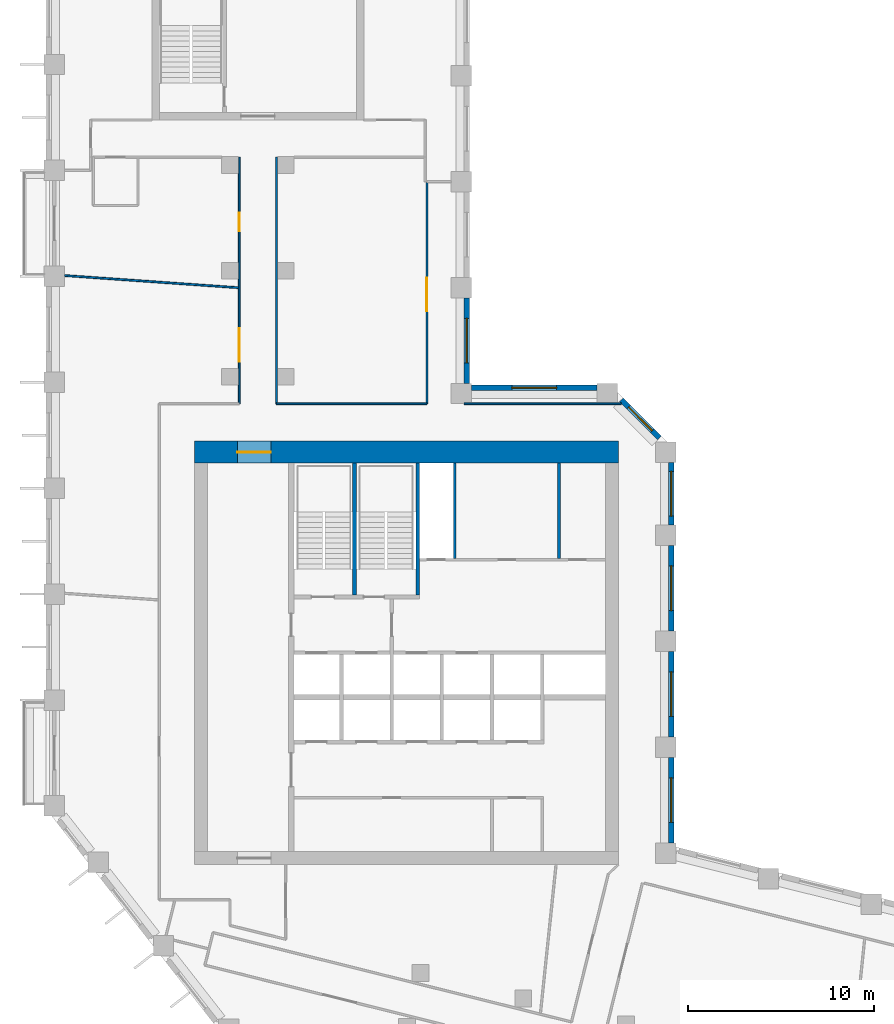
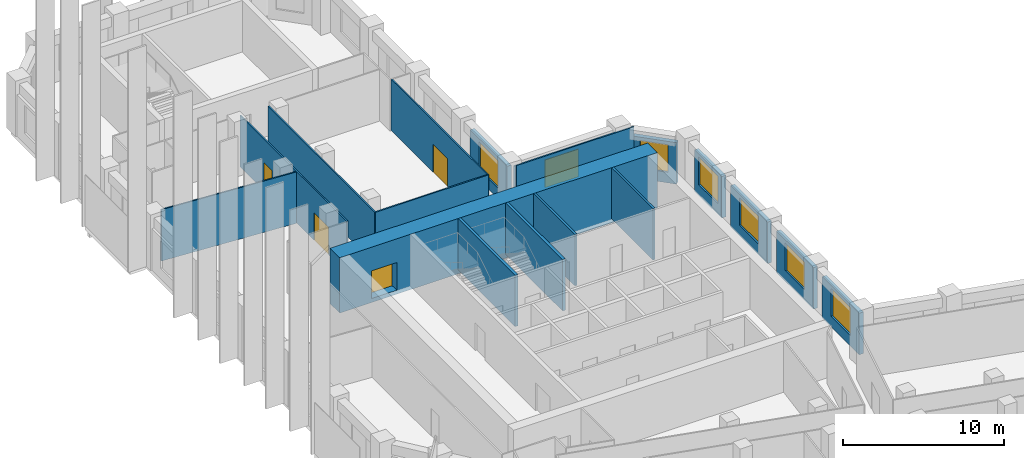
# One storey, part 6 of 10: 18 walls, 7 windows, 4 doors, 11 openings.
"""IFC4 building model written with IfcOpenShell, lengths in metres."""

from ifc_helpers import new_model, si_unit, direction, frame, frame_2d, origin, place, context, subcontext, project, spatial, rectangle, extrude, material, layer, layer_set, type_object, element, fill, save


model = new_model("IFC4")

# Units and contexts
model_context = context("Model", 3, precision=1e-05, world=origin(), true_north=direction((0.0, 1.0)))
body_context = subcontext(model_context, "Body", "Model", "MODEL_VIEW")
ifc_project = project(units=[si_unit("LENGTHUNIT", "METRE"), si_unit("AREAUNIT", "SQUARE_METRE"), si_unit("VOLUMEUNIT", "CUBIC_METRE"), si_unit("PLANEANGLEUNIT", "RADIAN"), si_unit("MASSUNIT", "GRAM", prefix="KILO")], contexts=[model_context])

# Site, building, storey
site_placement = place(None, origin())
site = spatial("IfcSite", under=ifc_project, at=site_placement, CompositionType="ELEMENT")
building_placement = place(site_placement, origin())
building = spatial("IfcBuilding", under=site, at=building_placement, Name="Meshkara Civic Tower", CompositionType="ELEMENT")
storey_placement = place(building_placement, frame((0.0, 0.0, 225.60009765625)))
storey = spatial("IfcBuildingStorey", under=building, at=storey_placement, Name="L51", CompositionType="ELEMENT", Elevation=225.60009765625)

# Walls
ifc_material_1 = material(Name="Blockwork", Category="masonry")
ifc_layer_1 = layer(ifc_material_1, 0.14990234375)
ifc_layer_set_1 = layer_set([ifc_layer_1], Name="Core partition 150")
wall_type_1 = type_object("IfcWallType", Name="Core partition 150", PredefinedType="PARTITIONING", material=ifc_layer_set_1)
for number, where, z_axis, x_axis, name in (
    (1, (22.0, 30.574951171875, 0.0), (0.0, 0.0, 1.0), (0.0, 1.0, 0.0), "L51-C017"),
    (2, (27.60009765625, 30.574951171875, 0.0), (0.0, 0.0, 1.0), (0.0, 1.0, 0.0), "L51-C022"),
):
    element("IfcWall", number, at=place(storey_placement, frame(where, z_axis=z_axis, x_axis=x_axis)), inside=storey, type_object=wall_type_1, Name=name, PredefinedType="PARTITIONING", context=body_context, shape_type="SweptSolid", body=[
        extrude(rectangle(XDim=5.125, YDim=0.14990234375, at=frame_2d((2.5625, 0.0))), origin(), (0.0, 0.0, 1.0), 3.89990234375),
    ])

# Wall, opening, door
ifc_material_2 = material(Name="Concrete C60", Category="concrete")
ifc_layer_2 = layer(ifc_material_2, 1.199951171875)
ifc_layer_set_2 = layer_set([ifc_layer_2], Name="Core ring wall 1200 C60")
wall_type_2 = type_object("IfcWallType", Name="Core ring wall 1200 C60", PredefinedType="SHEAR", material=ifc_layer_set_2)
wall_1_placement = place(storey_placement, frame((8.0, 36.300048828125, -0.300048828125), z_axis=(0.0, 0.0, 1.0), x_axis=(1.0, 0.0, 0.0)))
wall_1 = element("IfcWall", 3, at=wall_1_placement, inside=storey, type_object=wall_type_2, Name="L51-C002", PredefinedType="SHEAR", context=body_context, shape_type="SweptSolid", body=[
    extrude(rectangle(XDim=22.800048828125, YDim=1.199951171875, at=frame_2d((11.39990234375, 0.0))), origin(), (0.0, 0.0, 1.0), 4.199951171875),
])
opening_1_placement = place(wall_1_placement, frame((2.300048828125, 0.0, 0.300048828125)))
opening_1 = element("IfcOpeningElement", 4, at=opening_1_placement, cuts=wall_1, Name="Opening L51-K020", PredefinedType="OPENING", context=body_context, shape_type="SweptSolid", body=[
    extrude(rectangle(XDim=1.800048828125, YDim=2.10009765625, at=frame_2d((0.89990234375, 1.050048828125))), frame((0.0, 0.60986328125, 0.0), z_axis=(0.0, -1.0, 0.0), x_axis=(1.0, 0.0, 0.0)), (0.0, 0.0, 1.0), 1.219970703125),
])
ifc_material_3 = material(Name="Fire-rated door leaf in steel frame", Category="steel")
door_type_1 = type_object("IfcDoorType", Name="Core double door 1800 EI 60", OperationType="DOUBLE_DOOR_SINGLE_SWING", PredefinedType="DOOR", material=ifc_material_3)
door_1_placement = place(opening_1_placement, origin())
door_1 = element("IfcDoor", 5, at=door_1_placement, inside=storey, type_object=door_type_1, Name="L51-K020", OperationType="DOUBLE_DOOR_SINGLE_SWING", OverallHeight=2.10009765625, OverallWidth=1.800048828125, PredefinedType="DOOR", context=body_context, shape_type="SweptSolid", body=[
    extrude(rectangle(XDim=1.800048828125, YDim=2.10009765625, at=frame_2d((0.89990234375, 1.050048828125))), frame((0.0, 0.02490234375, 0.0), z_axis=(0.0, -1.0, 0.0), x_axis=(1.0, 0.0, 0.0)), (0.0, 0.0, 1.0), 0.050048828125),
])
fill(opening_1, door_1)

# Wall, openings, doors
ifc_material_4 = material(Name="Corridor wall 100")
ifc_layer_3 = layer(ifc_material_4, 0.10009765625)
ifc_layer_set_3 = layer_set([ifc_layer_3], Name="Corridor wall 100")
wall_type_3 = type_object("IfcWallType", Name="Corridor wall 100", PredefinedType="PARTITIONING", material=ifc_layer_set_3)
wall_2_placement = place(storey_placement, frame((10.39990234375, 52.169921875, 0.0), z_axis=(0.0, 0.0, 1.0), x_axis=(0.0, -1.0, 0.0)))
wall_2 = element("IfcWall", 6, at=wall_2_placement, inside=storey, type_object=wall_type_3, Name="L51-W012", PredefinedType="PARTITIONING", context=body_context, shape_type="SweptSolid", body=[
    extrude(rectangle(XDim=13.27001953125, YDim=0.10009765625, at=frame_2d((6.635009765625, 0.0))), origin(), (0.0, 0.0, 1.0), 3.89990234375),
])
opening_2_placement = place(wall_2_placement, frame((9.2060546875, 0.0, 0.0)))
opening_2 = element("IfcOpeningElement", 7, at=opening_2_placement, cuts=wall_2, Name="Opening L51-D014", PredefinedType="OPENING", context=body_context, shape_type="SweptSolid", body=[
    extrude(rectangle(XDim=1.800048828125, YDim=2.10009765625, at=frame_2d((0.89990234375, 1.050048828125))), frame((0.0, 0.06005859375, 0.0), z_axis=(0.0, -1.0, 0.0), x_axis=(1.0, 0.0, 0.0)), (0.0, 0.0, 1.0), 0.1201171875),
])
opening_3_placement = place(wall_2_placement, frame((2.97998046875, 0.0, 0.0)))
opening_3 = element("IfcOpeningElement", 8, at=opening_3_placement, cuts=wall_2, Name="Opening L51-D018", PredefinedType="OPENING", context=body_context, shape_type="SweptSolid", body=[
    extrude(rectangle(XDim=1.0, YDim=2.10009765625, at=frame_2d((0.5, 1.050048828125))), frame((0.0, 0.06005859375, 0.0), z_axis=(0.0, -1.0, 0.0), x_axis=(1.0, 0.0, 0.0)), (0.0, 0.0, 1.0), 0.1201171875),
])
ifc_material_5 = material(Name="Door 1000 x 2100")
door_type_2 = type_object("IfcDoorType", Name="Door 1000 x 2100", OperationType="SINGLE_SWING_LEFT", PredefinedType="DOOR", material=ifc_material_5)
door_2_placement = place(opening_3_placement, origin())
door_2 = element("IfcDoor", 9, at=door_2_placement, inside=storey, type_object=door_type_2, Name="L51-D018", OperationType="SINGLE_SWING_RIGHT", OverallHeight=2.10009765625, OverallWidth=1.0, PredefinedType="DOOR", context=body_context, shape_type="SweptSolid", body=[
    extrude(rectangle(XDim=1.0, YDim=2.10009765625, at=frame_2d((0.5, 1.050048828125))), frame((0.0, 0.02490234375, 0.0), z_axis=(0.0, -1.0, 0.0), x_axis=(1.0, 0.0, 0.0)), (0.0, 0.0, 1.0), 0.050048828125),
])
fill(opening_3, door_2)
ifc_material_6 = material(Name="Door pair 1800 x 2100")
door_type_3 = type_object("IfcDoorType", Name="Door pair 1800 x 2100", OperationType="SINGLE_SWING_LEFT", PredefinedType="DOOR", material=ifc_material_6)
door_3_placement = place(opening_2_placement, origin())
door_3 = element("IfcDoor", 10, at=door_3_placement, inside=storey, type_object=door_type_3, Name="L51-D014", OperationType="DOUBLE_DOOR_SINGLE_SWING", OverallHeight=2.10009765625, OverallWidth=1.800048828125, PredefinedType="DOOR", context=body_context, shape_type="SweptSolid", body=[
    extrude(rectangle(XDim=1.800048828125, YDim=2.10009765625, at=frame_2d((0.89990234375, 1.050048828125))), frame((0.0, 0.02490234375, 0.0), z_axis=(0.0, -1.0, 0.0), x_axis=(1.0, 0.0, 0.0)), (0.0, 0.0, 1.0), 0.050048828125),
])
fill(opening_2, door_3)

# Walls
wall_3_placement = place(storey_placement, frame((12.39990234375, 38.89990234375, 0.0), z_axis=(0.0, 0.0, 1.0), x_axis=(0.0, 1.0, 0.0)))
element("IfcWall", 11, at=wall_3_placement, inside=storey, type_object=wall_type_3, Name="L51-W013", PredefinedType="PARTITIONING", context=body_context, shape_type="SweptSolid", body=[
    extrude(rectangle(XDim=13.27001953125, YDim=0.10009765625, at=frame_2d((6.635009765625, 0.0))), origin(), (0.0, 0.0, 1.0), 3.89990234375),
])
wall_4_placement = place(storey_placement, frame((20.5, 38.89990234375, 0.0), z_axis=(0.0, 0.0, 1.0), x_axis=(-1.0, 0.0, 0.0)))
element("IfcWall", 12, at=wall_4_placement, inside=storey, type_object=wall_type_3, Name="L51-W018", PredefinedType="PARTITIONING", context=body_context, shape_type="SweptSolid", body=[
    extrude(rectangle(XDim=8.10009765625, YDim=0.10009765625, at=frame_2d((4.050048828125, 0.0))), origin(), (0.0, 0.0, 1.0), 3.89990234375),
])

# Wall, opening, door
wall_5_placement = place(storey_placement, frame((20.5, 50.85009765625, 0.0), z_axis=(0.0, 0.0, 1.0), x_axis=(0.0, -1.0, 0.0)))
wall_5 = element("IfcWall", 13, at=wall_5_placement, inside=storey, type_object=wall_type_3, Name="L51-W019", PredefinedType="PARTITIONING", context=body_context, shape_type="SweptSolid", body=[
    extrude(rectangle(XDim=11.9501953125, YDim=0.10009765625, at=frame_2d((5.97509765625, 0.0))), origin(), (0.0, 0.0, 1.0), 3.89990234375),
])
opening_4_placement = place(wall_5_placement, frame((5.179931640625, 0.0, 0.0)))
opening_4 = element("IfcOpeningElement", 14, at=opening_4_placement, cuts=wall_5, Name="Opening L51-D015", PredefinedType="OPENING", context=body_context, shape_type="SweptSolid", body=[
    extrude(rectangle(XDim=1.800048828125, YDim=2.10009765625, at=frame_2d((0.89990234375, 1.050048828125))), frame((0.0, 0.06005859375, 0.0), z_axis=(0.0, -1.0, 0.0), x_axis=(1.0, 0.0, 0.0)), (0.0, 0.0, 1.0), 0.1201171875),
])
door_4_placement = place(opening_4_placement, origin())
door_4 = element("IfcDoor", 15, at=door_4_placement, inside=storey, type_object=door_type_3, Name="L51-D015", OperationType="DOUBLE_DOOR_SINGLE_SWING", OverallHeight=2.10009765625, OverallWidth=1.800048828125, PredefinedType="DOOR", context=body_context, shape_type="SweptSolid", body=[
    extrude(rectangle(XDim=1.800048828125, YDim=2.10009765625, at=frame_2d((0.89990234375, 1.050048828125))), frame((0.0, 0.02490234375, 0.0), z_axis=(0.0, -1.0, 0.0), x_axis=(1.0, 0.0, 0.0)), (0.0, 0.0, 1.0), 0.050048828125),
])
fill(opening_4, door_4)

# Wall
wall_6_placement = place(storey_placement, frame((30.9560546875, 38.89990234375, 0.0), z_axis=(0.0, 0.0, 1.0), x_axis=(-1.0, 0.0, 0.0)))
element("IfcWall", 16, at=wall_6_placement, inside=storey, type_object=wall_type_3, Name="L51-W025", PredefinedType="PARTITIONING", context=body_context, shape_type="SweptSolid", body=[
    extrude(rectangle(XDim=8.4560546875, YDim=0.10009765625, at=frame_2d((4.22802734375, 0.0))), origin(), (0.0, 0.0, 1.0), 3.89990234375),
])

# Wall, opening, window
ifc_material_7 = material(Name="Insulated infill panel with bronze anodised aluminium cladding", Category="aluminium")
ifc_layer_4 = layer(ifc_material_7, 0.300048828125)
ifc_layer_set_4 = layer_set([ifc_layer_4], Name="EXTERNAL INFILL WALL 300")
wall_type_4 = type_object("IfcWallType", Name="EXTERNAL INFILL WALL 300", PredefinedType="SOLIDWALL", material=ifc_layer_set_4)
wall_7_placement = place(storey_placement, frame((33.64990234375, 15.26904296875, 0.0), z_axis=(0.0, 0.0, 1.0), x_axis=(0.0, 1.0, 0.0)))
wall_7 = element("IfcWall", 17, at=wall_7_placement, inside=storey, type_object=wall_type_4, Name="External wall", PredefinedType="SOLIDWALL", context=body_context, shape_type="SweptSolid", body=[
    extrude(rectangle(XDim=4.599853515625, YDim=0.300048828125, at=frame_2d((2.2998046875, 0.0))), origin(), (0.0, 0.0, 1.0), 3.14990234375),
])
opening_5_placement = place(wall_7_placement, frame((1.10009765625, 0.0, 0.800048828125)))
opening_5 = element("IfcOpeningElement", 18, at=opening_5_placement, cuts=wall_7, Name="Opening W7", PredefinedType="OPENING", context=body_context, shape_type="SweptSolid", body=[
    extrude(rectangle(XDim=2.39990234375, YDim=2.10009765625, at=frame_2d((1.199951171875, 1.050048828125))), frame((0.0, 0.159912109375, 0.0), z_axis=(0.0, -1.0, 0.0), x_axis=(1.0, 0.0, 0.0)), (0.0, 0.0, 1.0), 0.320068359375),
])
ifc_material_8 = material(Name="Tinted double glazing", Category="glass")
window_type_1 = type_object("IfcWindowType", Name="WINDOW 2400x2100", PartitioningType="DOUBLE_PANEL_VERTICAL", PredefinedType="WINDOW", material=ifc_material_8)
window_1_placement = place(opening_5_placement, origin())
window_1 = element("IfcWindow", 19, at=window_1_placement, inside=storey, type_object=window_type_1, Name="Window", OverallHeight=2.10009765625, OverallWidth=2.39990234375, PartitioningType="DOUBLE_PANEL_VERTICAL", PredefinedType="WINDOW", context=body_context, shape_type="SweptSolid", body=[
    extrude(rectangle(XDim=2.39990234375, YDim=2.10009765625, at=frame_2d((1.199951171875, 1.050048828125))), frame((0.0, 0.030029296875, 0.0), z_axis=(0.0, -1.0, 0.0), x_axis=(1.0, 0.0, 0.0)), (0.0, 0.0, 1.0), 0.06005859375),
])
fill(opening_5, window_1)

wall_8_placement = place(storey_placement, frame((33.64990234375, 20.968994140625, 0.0), z_axis=(0.0, 0.0, 1.0), x_axis=(0.0, 1.0, 0.0)))
wall_8 = element("IfcWall", 20, at=wall_8_placement, inside=storey, type_object=wall_type_4, Name="External wall", PredefinedType="SOLIDWALL", context=body_context, shape_type="SweptSolid", body=[
    extrude(rectangle(XDim=4.60009765625, YDim=0.300048828125, at=frame_2d((2.300048828125, 0.0))), origin(), (0.0, 0.0, 1.0), 3.14990234375),
])
opening_6_placement = place(wall_8_placement, frame((1.10009765625, 0.0, 0.800048828125)))
opening_6 = element("IfcOpeningElement", 21, at=opening_6_placement, cuts=wall_8, Name="Opening W7", PredefinedType="OPENING", context=body_context, shape_type="SweptSolid", body=[
    extrude(rectangle(XDim=2.39990234375, YDim=2.10009765625, at=frame_2d((1.199951171875, 1.050048828125))), frame((0.0, 0.159912109375, 0.0), z_axis=(0.0, -1.0, 0.0), x_axis=(1.0, 0.0, 0.0)), (0.0, 0.0, 1.0), 0.320068359375),
])
window_2_placement = place(opening_6_placement, origin())
window_2 = element("IfcWindow", 22, at=window_2_placement, inside=storey, type_object=window_type_1, Name="Window", OverallHeight=2.10009765625, OverallWidth=2.39990234375, PartitioningType="DOUBLE_PANEL_VERTICAL", PredefinedType="WINDOW", context=body_context, shape_type="SweptSolid", body=[
    extrude(rectangle(XDim=2.39990234375, YDim=2.10009765625, at=frame_2d((1.199951171875, 1.050048828125))), frame((0.0, 0.030029296875, 0.0), z_axis=(0.0, -1.0, 0.0), x_axis=(1.0, 0.0, 0.0)), (0.0, 0.0, 1.0), 0.06005859375),
])
fill(opening_6, window_2)

wall_9_placement = place(storey_placement, frame((33.64990234375, 26.6689453125, 0.0), z_axis=(0.0, 0.0, 1.0), x_axis=(0.0, 1.0, 0.0)))
wall_9 = element("IfcWall", 23, at=wall_9_placement, inside=storey, type_object=wall_type_4, Name="External wall", PredefinedType="SOLIDWALL", context=body_context, shape_type="SweptSolid", body=[
    extrude(rectangle(XDim=4.60009765625, YDim=0.300048828125, at=frame_2d((2.300048828125, 0.0))), origin(), (0.0, 0.0, 1.0), 3.14990234375),
])
opening_7_placement = place(wall_9_placement, frame((1.10009765625, 0.0, 0.800048828125)))
opening_7 = element("IfcOpeningElement", 24, at=opening_7_placement, cuts=wall_9, Name="Opening W7", PredefinedType="OPENING", context=body_context, shape_type="SweptSolid", body=[
    extrude(rectangle(XDim=2.39990234375, YDim=2.10009765625, at=frame_2d((1.199951171875, 1.050048828125))), frame((0.0, 0.159912109375, 0.0), z_axis=(0.0, -1.0, 0.0), x_axis=(1.0, 0.0, 0.0)), (0.0, 0.0, 1.0), 0.320068359375),
])
window_3_placement = place(opening_7_placement, origin())
window_3 = element("IfcWindow", 25, at=window_3_placement, inside=storey, type_object=window_type_1, Name="Window", OverallHeight=2.10009765625, OverallWidth=2.39990234375, PartitioningType="DOUBLE_PANEL_VERTICAL", PredefinedType="WINDOW", context=body_context, shape_type="SweptSolid", body=[
    extrude(rectangle(XDim=2.39990234375, YDim=2.10009765625, at=frame_2d((1.199951171875, 1.050048828125))), frame((0.0, 0.030029296875, 0.0), z_axis=(0.0, -1.0, 0.0), x_axis=(1.0, 0.0, 0.0)), (0.0, 0.0, 1.0), 0.06005859375),
])
fill(opening_7, window_3)

wall_10_placement = place(storey_placement, frame((33.64990234375, 32.368896484375, 0.0), z_axis=(0.0, 0.0, 1.0), x_axis=(0.0, 1.0, 0.0)))
wall_10 = element("IfcWall", 26, at=wall_10_placement, inside=storey, type_object=wall_type_4, Name="External wall", PredefinedType="SOLIDWALL", context=body_context, shape_type="SweptSolid", body=[
    extrude(rectangle(XDim=3.375, YDim=0.300048828125, at=frame_2d((1.6875, 0.0))), origin(), (0.0, 0.0, 1.0), 3.14990234375),
])
opening_8_placement = place(wall_10_placement, frame((0.488037109375, 0.0, 0.800048828125)))
opening_8 = element("IfcOpeningElement", 27, at=opening_8_placement, cuts=wall_10, Name="Opening W7", PredefinedType="OPENING", context=body_context, shape_type="SweptSolid", body=[
    extrude(rectangle(XDim=2.39990234375, YDim=2.10009765625, at=frame_2d((1.199951171875, 1.050048828125))), frame((0.0, 0.159912109375, 0.0), z_axis=(0.0, -1.0, 0.0), x_axis=(1.0, 0.0, 0.0)), (0.0, 0.0, 1.0), 0.320068359375),
])
window_4_placement = place(opening_8_placement, origin())
window_4 = element("IfcWindow", 28, at=window_4_placement, inside=storey, type_object=window_type_1, Name="Window", OverallHeight=2.10009765625, OverallWidth=2.39990234375, PartitioningType="DOUBLE_PANEL_VERTICAL", PredefinedType="WINDOW", context=body_context, shape_type="SweptSolid", body=[
    extrude(rectangle(XDim=2.39990234375, YDim=2.10009765625, at=frame_2d((1.199951171875, 1.050048828125))), frame((0.0, 0.030029296875, 0.0), z_axis=(0.0, -1.0, 0.0), x_axis=(1.0, 0.0, 0.0)), (0.0, 0.0, 1.0), 0.06005859375),
])
fill(opening_8, window_4)

wall_11_placement = place(storey_placement, frame((33.011962890625, 37.055908203125, 0.0), z_axis=(0.0, 0.0, 1.0), x_axis=(-0.707064797706, 0.707148762175, 0.0)))
wall_11 = element("IfcWall", 29, at=wall_11_placement, inside=storey, type_object=wall_type_4, Name="External wall", PredefinedType="SOLIDWALL", context=body_context, shape_type="SweptSolid", body=[
    extrude(rectangle(XDim=2.90771484375, YDim=0.300048828125, at=frame_2d((1.453857421875, 0.0))), origin(), (0.0, 0.0, 1.0), 3.14990234375),
])
opening_9_placement = place(wall_11_placement, frame((0.553955078125, 0.0, 0.800048828125)))
opening_9 = element("IfcOpeningElement", 30, at=opening_9_placement, cuts=wall_11, Name="Opening W9", PredefinedType="OPENING", context=body_context, shape_type="SweptSolid", body=[
    extrude(rectangle(XDim=1.800048828125, YDim=2.10009765625, at=frame_2d((0.89990234375, 1.050048828125))), frame((0.0, 0.159912109375, 0.0), z_axis=(0.0, -1.0, 0.0), x_axis=(1.0, 0.0, 0.0)), (0.0, 0.0, 1.0), 0.320068359375),
])
ifc_material_9 = material(Name="Tinted double glazing", Category="glass")
window_type_2 = type_object("IfcWindowType", Name="WINDOW 1800x2100", PartitioningType="DOUBLE_PANEL_VERTICAL", PredefinedType="WINDOW", material=ifc_material_9)
window_5_placement = place(opening_9_placement, origin())
window_5 = element("IfcWindow", 31, at=window_5_placement, inside=storey, type_object=window_type_2, Name="Window", OverallHeight=2.10009765625, OverallWidth=1.800048828125, PartitioningType="DOUBLE_PANEL_VERTICAL", PredefinedType="WINDOW", context=body_context, shape_type="SweptSolid", body=[
    extrude(rectangle(XDim=1.800048828125, YDim=2.10009765625, at=frame_2d((0.89990234375, 1.050048828125))), frame((0.0, 0.030029296875, 0.0), z_axis=(0.0, -1.0, 0.0), x_axis=(1.0, 0.0, 0.0)), (0.0, 0.0, 1.0), 0.06005859375),
])
fill(opening_9, window_5)

wall_12_placement = place(storey_placement, frame((29.64404296875, 39.75, 0.0), z_axis=(0.0, 0.0, 1.0), x_axis=(-1.0, 0.0, 0.0)))
wall_12 = element("IfcWall", 32, at=wall_12_placement, inside=storey, type_object=wall_type_4, Name="External wall", PredefinedType="SOLIDWALL", context=body_context, shape_type="SweptSolid", body=[
    extrude(rectangle(XDim=6.744140625, YDim=0.300048828125, at=frame_2d((3.3720703125, 0.0))), origin(), (0.0, 0.0, 1.0), 3.14990234375),
])
opening_10_placement = place(wall_12_placement, frame((2.172119140625, 0.0, 0.800048828125)))
opening_10 = element("IfcOpeningElement", 33, at=opening_10_placement, cuts=wall_12, Name="Opening W7", PredefinedType="OPENING", context=body_context, shape_type="SweptSolid", body=[
    extrude(rectangle(XDim=2.39990234375, YDim=2.10009765625, at=frame_2d((1.199951171875, 1.050048828125))), frame((0.0, 0.159912109375, 0.0), z_axis=(0.0, -1.0, 0.0), x_axis=(1.0, 0.0, 0.0)), (0.0, 0.0, 1.0), 0.320068359375),
])
window_6_placement = place(opening_10_placement, origin())
window_6 = element("IfcWindow", 34, at=window_6_placement, inside=storey, type_object=window_type_1, Name="Window", OverallHeight=2.10009765625, OverallWidth=2.39990234375, PartitioningType="DOUBLE_PANEL_VERTICAL", PredefinedType="WINDOW", context=body_context, shape_type="SweptSolid", body=[
    extrude(rectangle(XDim=2.39990234375, YDim=2.10009765625, at=frame_2d((1.199951171875, 1.050048828125))), frame((0.0, 0.030029296875, 0.0), z_axis=(0.0, -1.0, 0.0), x_axis=(1.0, 0.0, 0.0)), (0.0, 0.0, 1.0), 0.06005859375),
])
fill(opening_10, window_6)

wall_13_placement = place(storey_placement, frame((22.64990234375, 40.0, 0.0), z_axis=(0.0, 0.0, 1.0), x_axis=(0.0, 1.0, 0.0)))
wall_13 = element("IfcWall", 35, at=wall_13_placement, inside=storey, type_object=wall_type_4, Name="External wall", PredefinedType="SOLIDWALL", context=body_context, shape_type="SweptSolid", body=[
    extrude(rectangle(XDim=4.60009765625, YDim=0.300048828125, at=frame_2d((2.300048828125, 0.0))), origin(), (0.0, 0.0, 1.0), 3.14990234375),
])
opening_11_placement = place(wall_13_placement, frame((1.10009765625, 0.0, 0.800048828125)))
opening_11 = element("IfcOpeningElement", 36, at=opening_11_placement, cuts=wall_13, Name="Opening W7", PredefinedType="OPENING", context=body_context, shape_type="SweptSolid", body=[
    extrude(rectangle(XDim=2.39990234375, YDim=2.10009765625, at=frame_2d((1.199951171875, 1.050048828125))), frame((0.0, 0.159912109375, 0.0), z_axis=(0.0, -1.0, 0.0), x_axis=(1.0, 0.0, 0.0)), (0.0, 0.0, 1.0), 0.320068359375),
])
window_7_placement = place(opening_11_placement, origin())
window_7 = element("IfcWindow", 37, at=window_7_placement, inside=storey, type_object=window_type_1, Name="Window", OverallHeight=2.10009765625, OverallWidth=2.39990234375, PartitioningType="DOUBLE_PANEL_VERTICAL", PredefinedType="WINDOW", context=body_context, shape_type="SweptSolid", body=[
    extrude(rectangle(XDim=2.39990234375, YDim=2.10009765625, at=frame_2d((1.199951171875, 1.050048828125))), frame((0.0, 0.030029296875, 0.0), z_axis=(0.0, -1.0, 0.0), x_axis=(1.0, 0.0, 0.0)), (0.0, 0.0, 1.0), 0.06005859375),
])
fill(opening_11, window_7)

# Walls
ifc_material_10 = material(Name="Partition 100")
ifc_layer_5 = layer(ifc_material_10, 0.10009765625)
ifc_layer_set_5 = layer_set([ifc_layer_5], Name="Partition 100")
wall_type_5 = type_object("IfcWallType", Name="Partition 100", PredefinedType="PARTITIONING", material=ifc_layer_set_5)
wall_14_placement = place(storey_placement, frame((10.346923828125, 45.14404296875, 0.0), z_axis=(0.0, 0.0, 1.0), x_axis=(-0.997567943391, 0.069700777029, 0.0)))
element("IfcWall", 38, at=wall_14_placement, inside=storey, type_object=wall_type_5, Name="L51-W047", PredefinedType="PARTITIONING", context=body_context, shape_type="SweptSolid", body=[
    extrude(rectangle(XDim=9.36962890625, YDim=0.10009765625, at=frame_2d((4.684814453125, 0.0))), origin(), (0.0, 0.0, 1.0), 3.89990234375),
])
ifc_material_11 = material(Name="Concrete C40/50", Category="concrete")
ifc_layer_6 = layer(ifc_material_11, 0.199951171875)
ifc_layer_set_6 = layer_set([ifc_layer_6], Name="Stair enclosure wall 200 C40/50")
wall_type_6 = type_object("IfcWallType", Name="Stair enclosure wall 200 C40/50", PredefinedType="SOLIDWALL", material=ifc_layer_set_6)
for number, where, z_axis, x_axis, name in (
    (39, (16.60009765625, 28.60009765625, 0.0), (0.0, 0.0, 1.0), (0.0, 1.0, 0.0), "L51-C013"),
    (40, (20.0, 28.60009765625, 0.0), (0.0, 0.0, 1.0), (0.0, 1.0, 0.0), "L51-C015"),
):
    element("IfcWall", number, at=place(storey_placement, frame(where, z_axis=z_axis, x_axis=x_axis)), inside=storey, type_object=wall_type_6, Name=name, PredefinedType="SOLIDWALL", context=body_context, shape_type="SweptSolid", body=[
        extrude(rectangle(XDim=7.099853515625, YDim=0.199951171875, at=frame_2d((3.5498046875, 0.0))), origin(), (0.0, 0.0, 1.0), 3.89990234375),
    ])

save(model, "model.ifc")
